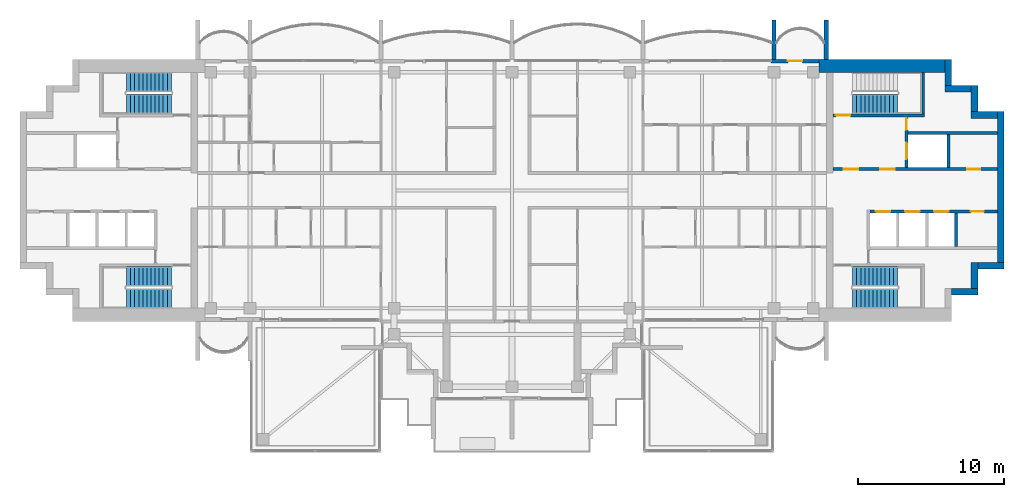
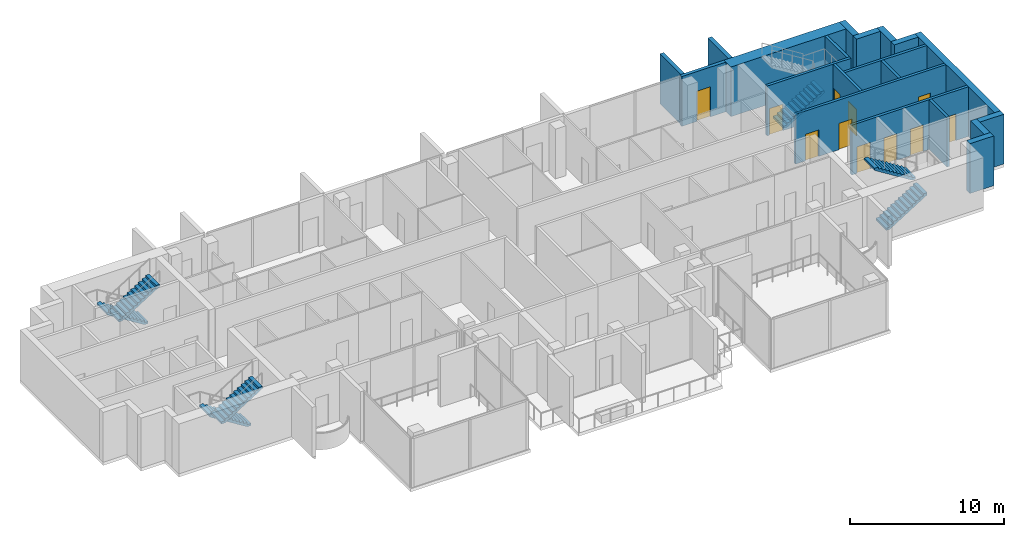
# One storey, part 11 of 16: 20 walls, 11 doors, 7 stair flights, 11 openings, 4 elements without a shape of their own.
"""IFC4 building model written with IfcOpenShell, lengths in metres."""

from ifc_helpers import new_model, si_unit, direction, frame, frame_2d, origin, place, context, subcontext, project, spatial, polyline, rectangle, outline, extrude, material, layer, layer_set, type_object, element, fill, aggregate, save


model = new_model("IFC4")

# Units and contexts
model_context = context("Model", 3, precision=1e-05, world=origin(), true_north=direction((0.0, 1.0)))
body_context = subcontext(model_context, "Body", "Model", "MODEL_VIEW")
ifc_project = project(units=[si_unit("LENGTHUNIT", "METRE"), si_unit("AREAUNIT", "SQUARE_METRE"), si_unit("VOLUMEUNIT", "CUBIC_METRE"), si_unit("PLANEANGLEUNIT", "RADIAN"), si_unit("MASSUNIT", "GRAM", prefix="KILO")], contexts=[model_context])

# Site, building, storey
site_placement = place(None, origin())
site = spatial("IfcSite", under=ifc_project, at=site_placement, CompositionType="ELEMENT")
building_placement = place(site_placement, origin())
building = spatial("IfcBuilding", under=site, at=building_placement, Name="Perihelion Cross Residences", CompositionType="ELEMENT")
storey_placement = place(building_placement, frame((0.0, 0.0, 290.39990234375)))
storey = spatial("IfcBuildingStorey", under=building, at=storey_placement, Name="L74", CompositionType="ELEMENT", Elevation=290.39990234375)

# Wall, opening, door
ifc_material_1 = material(Name="Concrete C30/37, bronze-clad", Category="concrete")
ifc_layer_1 = layer(ifc_material_1, 0.25)
ifc_layer_set_1 = layer_set([ifc_layer_1], Name="Bronze-clad pier wall 250")
wall_type_1 = type_object("IfcWallType", Name="Bronze-clad pier wall 250", PredefinedType="SOLIDWALL", material=ifc_layer_set_1)
wall_1_placement = place(storey_placement, frame((21.10009765625, 8.875, 0.0), z_axis=(0.0, 0.0, 1.0), x_axis=(-1.0, 0.0, 0.0)))
wall_1 = element("IfcWall", 1, at=wall_1_placement, inside=storey, type_object=wall_type_1, Name="Wall FW1 L74 east side north bay 1 pier", PredefinedType="SOLIDWALL", context=body_context, shape_type="SweptSolid", body=[
    extrude(rectangle(XDim=3.300048828125, YDim=0.25, at=frame_2d((1.64990234375, 0.0))), origin(), (0.0, 0.0, 1.0), 3.9501953125),
])
opening_1_placement = place(wall_1_placement, frame((1.14990234375, 0.0, 0.0)))
opening_1 = element("IfcOpeningElement", 2, at=opening_1_placement, cuts=wall_1, Name="Opening L74.E01", PredefinedType="OPENING", context=body_context, shape_type="SweptSolid", body=[
    extrude(rectangle(XDim=1.0, YDim=2.39990234375, at=frame_2d((0.5, 1.199951171875))), frame((0.0, 0.135009765625, 0.0), z_axis=(0.0, -1.0, 0.0), x_axis=(1.0, 0.0, 0.0)), (0.0, 0.0, 1.0), 0.27001953125),
])
ifc_material_2 = material(Name="Bronze anodised aluminium, glazed", Category="aluminium")
door_type_1 = type_object("IfcDoorType", Name="Balcony door 1000 x 2400", OperationType="NOTDEFINED", PredefinedType="DOOR", material=ifc_material_2)
door_1_placement = place(opening_1_placement, origin())
door_1 = element("IfcDoor", 3, at=door_1_placement, inside=storey, type_object=door_type_1, Name="Door L74.E01 east side north bay 1", OperationType="SINGLE_SWING_LEFT", OverallHeight=2.39990234375, OverallWidth=1.0, PredefinedType="DOOR", context=body_context, shape_type="SweptSolid", body=[
    extrude(rectangle(XDim=1.0, YDim=2.39990234375, at=frame_2d((0.5, 1.199951171875))), frame((0.0, 0.02490234375, 0.0), z_axis=(0.0, -1.0, 0.0), x_axis=(1.0, 0.0, 0.0)), (0.0, 0.0, 1.0), 0.050048828125),
])
fill(opening_1, door_1)

# Walls
ifc_material_3 = material(Name="Concrete C60/75", Category="concrete")
ifc_layer_2 = layer(ifc_material_3, 0.449951171875)
ifc_layer_set_2 = layer_set([ifc_layer_2], Name="Core wall, outer 450")
wall_type_2 = type_object("IfcWallType", Name="Core wall, outer 450", PredefinedType="SHEAR", material=ifc_layer_set_2)
for number, where, z_axis, x_axis, name in (
    (4, (30.199951171875, -6.97509765625, 0.0), (0.0, 0.0, 1.0), (1.0, 0.0, 0.0), "East core core wall, outer"),
    (5, (31.77490234375, -6.75, 0.0), (0.0, 0.0, 1.0), (0.0, 1.0, 0.0), "East core core wall, outer"),
    (6, (32.0, -5.175048828125, 0.0), (0.0, 0.0, 1.0), (1.0, 0.0, 0.0), "East core core wall, outer"),
):
    element("IfcWall", number, at=place(storey_placement, frame(where, z_axis=z_axis, x_axis=x_axis)), inside=storey, type_object=wall_type_2, Name=name, PredefinedType="SHEAR", context=body_context, shape_type="SweptSolid", body=[
        extrude(rectangle(XDim=1.800048828125, YDim=0.449951171875, at=frame_2d((0.89990234375, 0.0))), origin(), (0.0, 0.0, 1.0), 3.9501953125),
    ])
wall_2_placement = place(storey_placement, frame((33.574951171875, -4.949951171875, 0.0), z_axis=(0.0, 0.0, 1.0), x_axis=(0.0, 1.0, 0.0)))
element("IfcWall", 7, at=wall_2_placement, inside=storey, type_object=wall_type_2, Name="East core core wall, outer", PredefinedType="SHEAR", context=body_context, shape_type="SweptSolid", body=[
    extrude(rectangle(XDim=10.349853515625, YDim=0.449951171875, at=frame_2d((5.1748046875, 0.0))), origin(), (0.0, 0.0, 1.0), 3.9501953125),
])
for number, where, z_axis, x_axis, name in (
    (8, (31.550048828125, 5.175048828125, 0.0), (0.0, 0.0, 1.0), (1.0, 0.0, 0.0), "East core core wall, outer"),
    (9, (31.77490234375, 5.39990234375, 0.0), (0.0, 0.0, 1.0), (0.0, 1.0, 0.0), "East core core wall, outer"),
    (10, (29.75, 6.97509765625, 0.0), (0.0, 0.0, 1.0), (1.0, 0.0, 0.0), "East core core wall, outer"),
    (11, (29.97509765625, 7.199951171875, 0.0), (0.0, 0.0, 1.0), (0.0, 1.0, 0.0), "East core core wall, outer"),
):
    element("IfcWall", number, at=place(storey_placement, frame(where, z_axis=z_axis, x_axis=x_axis)), inside=storey, type_object=wall_type_2, Name=name, PredefinedType="SHEAR", context=body_context, shape_type="SweptSolid", body=[
        extrude(rectangle(XDim=1.800048828125, YDim=0.449951171875, at=frame_2d((0.89990234375, 0.0))), origin(), (0.0, 0.0, 1.0), 3.9501953125),
    ])
ifc_material_4 = material(Name="Concrete C60/75", Category="concrete")
ifc_layer_3 = layer(ifc_material_4, 0.89990234375)
ifc_layer_set_3 = layer_set([ifc_layer_3], Name="Core wall, outer 900")
wall_type_3 = type_object("IfcWallType", Name="Core wall, outer 900", PredefinedType="SHEAR", material=ifc_layer_set_3)
wall_3_placement = place(storey_placement, frame((21.10009765625, 8.550048828125, 0.0), z_axis=(0.0, 0.0, 1.0), x_axis=(1.0, 0.0, 0.0)))
element("IfcWall", 12, at=wall_3_placement, inside=storey, type_object=wall_type_3, Name="East core core wall, outer", PredefinedType="SHEAR", context=body_context, shape_type="SweptSolid", body=[
    extrude(rectangle(XDim=8.64990234375, YDim=0.89990234375, at=frame_2d((4.324951171875, 0.0))), origin(), (0.0, 0.0, 1.0), 3.9501953125),
])
ifc_material_5 = material(Name="Precast concrete C50/60", Category="concrete")
ifc_layer_4 = layer(ifc_material_5, 0.300048828125)
ifc_layer_set_4 = layer_set([ifc_layer_4], Name="Precast concrete C50/60 blade wall 300")
wall_type_4 = type_object("IfcWallType", Name="Precast concrete C50/60 blade wall 300", PredefinedType="SOLIDWALL", material=ifc_layer_set_4)
for number, where, z_axis, x_axis, name in (
    (13, (18.0, 9.0, 0.0), (0.0, 0.0, 1.0), (0.0, 1.0, 0.0), "Wall BL1 L74 no. 11"),
    (14, (21.60009765625, 9.0, 0.0), (0.0, 0.0, 1.0), (0.0, 1.0, 0.0), "Wall BL1 L74 no. 13"),
):
    element("IfcWall", number, at=place(storey_placement, frame(where, z_axis=z_axis, x_axis=x_axis)), inside=storey, type_object=wall_type_4, Name=name, PredefinedType="SOLIDWALL", context=body_context, shape_type="SweptSolid", body=[
        extrude(rectangle(XDim=2.699951171875, YDim=0.300048828125, at=frame_2d((1.35009765625, 0.0))), origin(), (0.0, 0.0, 1.0), 3.9501953125),
    ])

# Wall, openings, doors
ifc_material_6 = material(Name="Concrete C50/60", Category="concrete")
ifc_layer_5 = layer(ifc_material_6, 0.199951171875)
ifc_layer_set_5 = layer_set([ifc_layer_5], Name="Shaft wall 200")
wall_type_5 = type_object("IfcWallType", Name="Shaft wall 200", PredefinedType="SOLIDWALL", material=ifc_layer_set_5)
wall_4_placement = place(storey_placement, frame((22.050048828125, 1.449951171875, 0.0), z_axis=(0.0, 0.0, 1.0), x_axis=(1.0, 0.0, 0.0)))
wall_4 = element("IfcWall", 15, at=wall_4_placement, inside=storey, type_object=wall_type_5, Name="East core shaft wall", PredefinedType="SOLIDWALL", context=body_context, shape_type="SweptSolid", body=[
    extrude(rectangle(XDim=11.300048828125, YDim=0.199951171875, at=frame_2d((5.64990234375, 0.0))), origin(), (0.0, 0.0, 1.0), 3.9501953125),
])
opening_2_placement = place(wall_4_placement, frame((0.75, 0.0, 0.0)))
opening_2 = element("IfcOpeningElement", 16, at=opening_2_placement, cuts=wall_4, Name="Opening L74.C07", PredefinedType="OPENING", context=body_context, shape_type="SweptSolid", body=[
    extrude(rectangle(XDim=1.0, YDim=2.10009765625, at=frame_2d((0.5, 1.050048828125))), frame((0.0, 0.10986328125, 0.0), z_axis=(0.0, -1.0, 0.0), x_axis=(1.0, 0.0, 0.0)), (0.0, 0.0, 1.0), 0.219970703125),
])
opening_3_placement = place(wall_4_placement, frame((3.25, 0.0, 0.0)))
opening_3 = element("IfcOpeningElement", 17, at=opening_3_placement, cuts=wall_4, Name="Opening L74.C09", PredefinedType="OPENING", context=body_context, shape_type="SweptSolid", body=[
    extrude(rectangle(XDim=1.0, YDim=2.10009765625, at=frame_2d((0.5, 1.050048828125))), frame((0.0, 0.10986328125, 0.0), z_axis=(0.0, -1.0, 0.0), x_axis=(1.0, 0.0, 0.0)), (0.0, 0.0, 1.0), 0.219970703125),
])
opening_4_placement = place(wall_4_placement, frame((9.22509765625, 0.0, 0.0)))
opening_4 = element("IfcOpeningElement", 18, at=opening_4_placement, cuts=wall_4, Name="Opening L74.C11", PredefinedType="OPENING", context=body_context, shape_type="SweptSolid", body=[
    extrude(rectangle(XDim=0.89990234375, YDim=2.10009765625, at=frame_2d((0.449951171875, 1.050048828125))), frame((0.0, 0.10986328125, 0.0), z_axis=(0.0, -1.0, 0.0), x_axis=(1.0, 0.0, 0.0)), (0.0, 0.0, 1.0), 0.219970703125),
])
ifc_material_7 = material(Name="Steel, powder coated", Category="steel")
door_type_2 = type_object("IfcDoorType", Name="Lobby door 1000", OperationType="SINGLE_SWING_LEFT", PredefinedType="DOOR", material=ifc_material_7)
door_2_placement = place(opening_2_placement, origin())
door_2 = element("IfcDoor", 19, at=door_2_placement, inside=storey, type_object=door_type_2, Name="East core firefighting lobby door", OperationType="SINGLE_SWING_LEFT", OverallHeight=2.10009765625, OverallWidth=1.0, PredefinedType="DOOR", context=body_context, shape_type="SweptSolid", body=[
    extrude(rectangle(XDim=1.0, YDim=2.10009765625, at=frame_2d((0.5, 1.050048828125))), frame((0.0, 0.02490234375, 0.0), z_axis=(0.0, -1.0, 0.0), x_axis=(1.0, 0.0, 0.0)), (0.0, 0.0, 1.0), 0.050048828125),
])
fill(opening_2, door_2)
door_3_placement = place(opening_3_placement, origin())
door_3 = element("IfcDoor", 20, at=door_3_placement, inside=storey, type_object=door_type_2, Name="East core firefighting lobby door", OperationType="SINGLE_SWING_LEFT", OverallHeight=2.10009765625, OverallWidth=1.0, PredefinedType="DOOR", context=body_context, shape_type="SweptSolid", body=[
    extrude(rectangle(XDim=1.0, YDim=2.10009765625, at=frame_2d((0.5, 1.050048828125))), frame((0.0, 0.02490234375, 0.0), z_axis=(0.0, -1.0, 0.0), x_axis=(1.0, 0.0, 0.0)), (0.0, 0.0, 1.0), 0.050048828125),
])
fill(opening_3, door_3)
ifc_material_8 = material(Name="Steel, powder coated", Category="steel")
door_type_3 = type_object("IfcDoorType", Name="Service room door 900", OperationType="SINGLE_SWING_LEFT", PredefinedType="DOOR", material=ifc_material_8)
door_4_placement = place(opening_4_placement, origin())
door_4 = element("IfcDoor", 21, at=door_4_placement, inside=storey, type_object=door_type_3, Name="East core service room door", OperationType="SINGLE_SWING_LEFT", OverallHeight=2.10009765625, OverallWidth=0.89990234375, PredefinedType="DOOR", context=body_context, shape_type="SweptSolid", body=[
    extrude(rectangle(XDim=0.89990234375, YDim=2.10009765625, at=frame_2d((0.449951171875, 1.050048828125))), frame((0.0, 0.02490234375, 0.0), z_axis=(0.0, -1.0, 0.0), x_axis=(1.0, 0.0, 0.0)), (0.0, 0.0, 1.0), 0.050048828125),
])
fill(opening_4, door_4)

wall_5_placement = place(storey_placement, frame((24.60009765625, -1.449951171875, 0.0), z_axis=(0.0, 0.0, 1.0), x_axis=(1.0, 0.0, 0.0)))
wall_5 = element("IfcWall", 22, at=wall_5_placement, inside=storey, type_object=wall_type_5, Name="East core shaft wall", PredefinedType="SOLIDWALL", context=body_context, shape_type="SweptSolid", body=[
    extrude(rectangle(XDim=8.75, YDim=0.199951171875, at=frame_2d((4.375, 0.0))), origin(), (0.0, 0.0, 1.0), 3.9501953125),
])
opening_5_placement = place(wall_5_placement, frame((0.39990234375, 0.0, 0.0)))
opening_5 = element("IfcOpeningElement", 23, at=opening_5_placement, cuts=wall_5, Name="Opening L74.C01", PredefinedType="OPENING", context=body_context, shape_type="SweptSolid", body=[
    extrude(rectangle(XDim=1.0, YDim=2.10009765625, at=frame_2d((0.5, 1.050048828125))), frame((0.0, 0.10986328125, 0.0), z_axis=(0.0, -1.0, 0.0), x_axis=(1.0, 0.0, 0.0)), (0.0, 0.0, 1.0), 0.219970703125),
])
opening_6_placement = place(wall_5_placement, frame((2.39990234375, 0.0, 0.0)))
opening_6 = element("IfcOpeningElement", 24, at=opening_6_placement, cuts=wall_5, Name="Opening L74.C03", PredefinedType="OPENING", context=body_context, shape_type="SweptSolid", body=[
    extrude(rectangle(XDim=1.0, YDim=2.10009765625, at=frame_2d((0.5, 1.050048828125))), frame((0.0, 0.10986328125, 0.0), z_axis=(0.0, -1.0, 0.0), x_axis=(1.0, 0.0, 0.0)), (0.0, 0.0, 1.0), 0.219970703125),
])
opening_7_placement = place(wall_5_placement, frame((4.39990234375, 0.0, 0.0)))
opening_7 = element("IfcOpeningElement", 25, at=opening_7_placement, cuts=wall_5, Name="Opening L74.C04", PredefinedType="OPENING", context=body_context, shape_type="SweptSolid", body=[
    extrude(rectangle(XDim=1.0, YDim=2.10009765625, at=frame_2d((0.5, 1.050048828125))), frame((0.0, 0.10986328125, 0.0), z_axis=(0.0, -1.0, 0.0), x_axis=(1.0, 0.0, 0.0)), (0.0, 0.0, 1.0), 0.219970703125),
])
opening_8_placement = place(wall_5_placement, frame((6.925048828125, 0.0, 0.0)))
opening_8 = element("IfcOpeningElement", 26, at=opening_8_placement, cuts=wall_5, Name="Opening L74.C12", PredefinedType="OPENING", context=body_context, shape_type="SweptSolid", body=[
    extrude(rectangle(XDim=0.89990234375, YDim=2.10009765625, at=frame_2d((0.449951171875, 1.050048828125))), frame((0.0, 0.10986328125, 0.0), z_axis=(0.0, -1.0, 0.0), x_axis=(1.0, 0.0, 0.0)), (0.0, 0.0, 1.0), 0.219970703125),
])
ifc_material_9 = material(Name="Stainless steel", Category="steel")
door_type_4 = type_object("IfcDoorType", Name="Landing door 1000", OperationType="DOUBLE_DOOR_SLIDING", PredefinedType="DOOR", material=ifc_material_9)
door_5_placement = place(opening_5_placement, origin())
door_5 = element("IfcDoor", 27, at=door_5_placement, inside=storey, type_object=door_type_4, Name="Landing door, East core high-rise lift 1", OperationType="DOUBLE_DOOR_SLIDING", OverallHeight=2.10009765625, OverallWidth=1.0, PredefinedType="DOOR", context=body_context, shape_type="SweptSolid", body=[
    extrude(rectangle(XDim=1.0, YDim=2.10009765625, at=frame_2d((0.5, 1.050048828125))), frame((0.0, 0.02490234375, 0.0), z_axis=(0.0, -1.0, 0.0), x_axis=(1.0, 0.0, 0.0)), (0.0, 0.0, 1.0), 0.050048828125),
])
fill(opening_5, door_5)
door_6_placement = place(opening_6_placement, origin())
door_6 = element("IfcDoor", 28, at=door_6_placement, inside=storey, type_object=door_type_4, Name="Landing door, East core high-rise lift 2", OperationType="DOUBLE_DOOR_SLIDING", OverallHeight=2.10009765625, OverallWidth=1.0, PredefinedType="DOOR", context=body_context, shape_type="SweptSolid", body=[
    extrude(rectangle(XDim=1.0, YDim=2.10009765625, at=frame_2d((0.5, 1.050048828125))), frame((0.0, 0.02490234375, 0.0), z_axis=(0.0, -1.0, 0.0), x_axis=(1.0, 0.0, 0.0)), (0.0, 0.0, 1.0), 0.050048828125),
])
fill(opening_6, door_6)
door_7_placement = place(opening_7_placement, origin())
door_7 = element("IfcDoor", 29, at=door_7_placement, inside=storey, type_object=door_type_4, Name="Landing door, East core high-rise lift 3", OperationType="DOUBLE_DOOR_SLIDING", OverallHeight=2.10009765625, OverallWidth=1.0, PredefinedType="DOOR", context=body_context, shape_type="SweptSolid", body=[
    extrude(rectangle(XDim=1.0, YDim=2.10009765625, at=frame_2d((0.5, 1.050048828125))), frame((0.0, 0.02490234375, 0.0), z_axis=(0.0, -1.0, 0.0), x_axis=(1.0, 0.0, 0.0)), (0.0, 0.0, 1.0), 0.050048828125),
])
fill(opening_7, door_7)
door_8_placement = place(opening_8_placement, origin())
door_8 = element("IfcDoor", 30, at=door_8_placement, inside=storey, type_object=door_type_3, Name="East core service room door", OperationType="SINGLE_SWING_LEFT", OverallHeight=2.10009765625, OverallWidth=0.89990234375, PredefinedType="DOOR", context=body_context, shape_type="SweptSolid", body=[
    extrude(rectangle(XDim=0.89990234375, YDim=2.10009765625, at=frame_2d((0.449951171875, 1.050048828125))), frame((0.0, 0.02490234375, 0.0), z_axis=(0.0, -1.0, 0.0), x_axis=(1.0, 0.0, 0.0)), (0.0, 0.0, 1.0), 0.050048828125),
])
fill(opening_8, door_8)

# Wall
wall_6_placement = place(storey_placement, frame((27.199951171875, 3.949951171875, 0.0), z_axis=(0.0, 0.0, 1.0), x_axis=(1.0, 0.0, 0.0)))
element("IfcWall", 31, at=wall_6_placement, inside=storey, type_object=wall_type_5, Name="East core shaft wall", PredefinedType="SOLIDWALL", context=body_context, shape_type="SweptSolid", body=[
    extrude(rectangle(XDim=6.150146484375, YDim=0.199951171875, at=frame_2d((3.0751953125, 0.0))), origin(), (0.0, 0.0, 1.0), 3.9501953125),
])

# Wall, openings, doors
wall_7_placement = place(storey_placement, frame((27.10009765625, 1.550048828125, 0.0), z_axis=(0.0, 0.0, 1.0), x_axis=(0.0, 1.0, 0.0)))
wall_7 = element("IfcWall", 32, at=wall_7_placement, inside=storey, type_object=wall_type_5, Name="East core shaft wall", PredefinedType="SOLIDWALL", context=body_context, shape_type="SweptSolid", body=[
    extrude(rectangle(XDim=3.5, YDim=0.199951171875, at=frame_2d((1.75, 0.0))), origin(), (0.0, 0.0, 1.0), 3.9501953125),
])
opening_9_placement = place(wall_7_placement, frame((0.60009765625, 0.0, 0.0)))
opening_9 = element("IfcOpeningElement", 33, at=opening_9_placement, cuts=wall_7, Name="Opening L74.C02", PredefinedType="OPENING", context=body_context, shape_type="SweptSolid", body=[
    extrude(rectangle(XDim=1.10009765625, YDim=2.10009765625, at=frame_2d((0.550048828125, 1.050048828125))), frame((0.0, 0.10986328125, 0.0), z_axis=(0.0, -1.0, 0.0), x_axis=(1.0, 0.0, 0.0)), (0.0, 0.0, 1.0), 0.219970703125),
])
opening_10_placement = place(wall_7_placement, frame((2.60009765625, 0.0, 0.0)))
opening_10 = element("IfcOpeningElement", 34, at=opening_10_placement, cuts=wall_7, Name="Opening L74.C10", PredefinedType="OPENING", context=body_context, shape_type="SweptSolid", body=[
    extrude(rectangle(XDim=0.800048828125, YDim=2.10009765625, at=frame_2d((0.39990234375, 1.050048828125))), frame((0.0, 0.10986328125, 0.0), z_axis=(0.0, -1.0, 0.0), x_axis=(1.0, 0.0, 0.0)), (0.0, 0.0, 1.0), 0.219970703125),
])
ifc_material_10 = material(Name="Stainless steel", Category="steel")
door_type_5 = type_object("IfcDoorType", Name="Landing door, firefighting lift 1100", OperationType="DOUBLE_DOOR_SLIDING", PredefinedType="DOOR", material=ifc_material_10)
door_9_placement = place(opening_9_placement, origin())
door_9 = element("IfcDoor", 35, at=door_9_placement, inside=storey, type_object=door_type_5, Name="Landing door, East core firefighting and service lift", OperationType="DOUBLE_DOOR_SLIDING", OverallHeight=2.10009765625, OverallWidth=1.10009765625, PredefinedType="DOOR", context=body_context, shape_type="SweptSolid", body=[
    extrude(rectangle(XDim=1.10009765625, YDim=2.10009765625, at=frame_2d((0.550048828125, 1.050048828125))), frame((0.0, 0.02490234375, 0.0), z_axis=(0.0, -1.0, 0.0), x_axis=(1.0, 0.0, 0.0)), (0.0, 0.0, 1.0), 0.050048828125),
])
fill(opening_9, door_9)
ifc_material_11 = material(Name="Steel, powder coated", Category="steel")
door_type_6 = type_object("IfcDoorType", Name="Riser door 800", OperationType="SINGLE_SWING_LEFT", PredefinedType="DOOR", material=ifc_material_11)
door_10_placement = place(opening_10_placement, origin())
door_10 = element("IfcDoor", 36, at=door_10_placement, inside=storey, type_object=door_type_6, Name="East core riser door", OperationType="SINGLE_SWING_LEFT", OverallHeight=2.10009765625, OverallWidth=0.800048828125, PredefinedType="DOOR", context=body_context, shape_type="SweptSolid", body=[
    extrude(rectangle(XDim=0.800048828125, YDim=2.10009765625, at=frame_2d((0.39990234375, 1.050048828125))), frame((0.0, 0.02490234375, 0.0), z_axis=(0.0, -1.0, 0.0), x_axis=(1.0, 0.0, 0.0)), (0.0, 0.0, 1.0), 0.050048828125),
])
fill(opening_10, door_10)

# Walls
for number, where, z_axis, x_axis, name in (
    (37, (30.0, 1.550048828125, 0.0), (0.0, 0.0, 1.0), (0.0, 1.0, 0.0), "East core shaft wall"),
    (38, (30.5, -3.85009765625, 0.0), (0.0, 0.0, 1.0), (0.0, 1.0, 0.0), "East core shaft wall"),
):
    element("IfcWall", number, at=place(storey_placement, frame(where, z_axis=z_axis, x_axis=x_axis)), inside=storey, type_object=wall_type_5, Name=name, PredefinedType="SOLIDWALL", context=body_context, shape_type="SweptSolid", body=[
        extrude(rectangle(XDim=2.300048828125, YDim=0.199951171875, at=frame_2d((1.14990234375, 0.0))), origin(), (0.0, 0.0, 1.0), 3.9501953125),
    ])

# Wall, opening, door
ifc_material_12 = material(Name="Concrete C50/60", Category="concrete")
ifc_layer_6 = layer(ifc_material_12, 0.199951171875)
ifc_layer_set_6 = layer_set([ifc_layer_6], Name="Stair wall 200")
wall_type_6 = type_object("IfcWallType", Name="Stair wall 200", PredefinedType="SOLIDWALL", material=ifc_layer_set_6)
wall_8_placement = place(storey_placement, frame((22.050048828125, 5.14990234375, 0.0), z_axis=(0.0, 0.0, 1.0), x_axis=(1.0, 0.0, 0.0)))
wall_8 = element("IfcWall", 39, at=wall_8_placement, inside=storey, type_object=wall_type_6, Name="East core stair wall", PredefinedType="SOLIDWALL", context=body_context, shape_type="SweptSolid", body=[
    extrude(rectangle(XDim=6.300048828125, YDim=0.199951171875, at=frame_2d((3.14990234375, 0.0))), origin(), (0.0, 0.0, 1.0), 3.9501953125),
])
opening_11_placement = place(wall_8_placement, frame((0.199951171875, 0.0, 0.0)))
opening_11 = element("IfcOpeningElement", 40, at=opening_11_placement, cuts=wall_8, Name="Opening L74.C06", PredefinedType="OPENING", context=body_context, shape_type="SweptSolid", body=[
    extrude(rectangle(XDim=1.0, YDim=2.10009765625, at=frame_2d((0.5, 1.050048828125))), frame((0.0, 0.10986328125, 0.0), z_axis=(0.0, -1.0, 0.0), x_axis=(1.0, 0.0, 0.0)), (0.0, 0.0, 1.0), 0.219970703125),
])
ifc_material_13 = material(Name="Steel, powder coated", Category="steel")
door_type_7 = type_object("IfcDoorType", Name="Stair door 1000", OperationType="SINGLE_SWING_LEFT", PredefinedType="DOOR", material=ifc_material_13)
door_11_placement = place(opening_11_placement, origin())
door_11 = element("IfcDoor", 41, at=door_11_placement, inside=storey, type_object=door_type_7, Name="East core stair door", OperationType="SINGLE_SWING_LEFT", OverallHeight=2.10009765625, OverallWidth=1.0, PredefinedType="DOOR", context=body_context, shape_type="SweptSolid", body=[
    extrude(rectangle(XDim=1.0, YDim=2.10009765625, at=frame_2d((0.5, 1.050048828125))), frame((0.0, 0.02490234375, 0.0), z_axis=(0.0, -1.0, 0.0), x_axis=(1.0, 0.0, 0.0)), (0.0, 0.0, 1.0), 0.050048828125),
])
fill(opening_11, door_11)

# Wall
wall_9_placement = place(storey_placement, frame((28.25, 5.25, 0.0), z_axis=(0.0, 0.0, 1.0), x_axis=(0.0, 1.0, 0.0)))
element("IfcWall", 42, at=wall_9_placement, inside=storey, type_object=wall_type_6, Name="East core stair wall", PredefinedType="SOLIDWALL", context=body_context, shape_type="SweptSolid", body=[
    extrude(rectangle(XDim=2.85009765625, YDim=0.199951171875, at=frame_2d((1.425048828125, 0.0))), origin(), (0.0, 0.0, 1.0), 3.9501953125),
])

# Stair, stair flight
ifc_material_14 = material(Name="Concrete C40/50", Category="concrete")
stair_type = type_object("IfcStairType", Name="Exit stair, half-turn", PredefinedType="HALF_TURN_STAIR", material=ifc_material_14)
stair_1_placement = place(storey_placement, origin())
stair_1 = element("IfcStair", 43, at=stair_1_placement, inside=storey, type_object=stair_type, Name="L74 East core exit stair 1", PredefinedType="HALF_TURN_STAIR")
ifc_material_15 = material(Name="Concrete C40/50", Category="concrete")
stair_flight_type = type_object("IfcStairFlightType", Name="Exit stair flight", PredefinedType="STRAIGHT", material=ifc_material_15)
stair_flight_1_placement = place(storey_placement, frame((23.39990234375, 5.925048828125, 0.0), z_axis=(0.0, 0.0, 1.0), x_axis=(1.0, 0.0, 0.0)))
stair_flight_1 = element("IfcStairFlight", 44, at=stair_flight_1_placement, type_object=stair_flight_type, Name="ST-E1 flight 1", NumberOfRisers=12, NumberOfTreads=11, PredefinedType="STRAIGHT", RiserHeight=0.175, TreadLength=0.28, context=body_context, shape_type="SweptSolid", body=[
    extrude(outline(polyline([(0.0, 0.0), (0.0, 0.175048828125), (0.280029296875, 0.175048828125), (0.280029296875, 0.35009765625), (0.56005859375, 0.35009765625), (0.56005859375, 0.52490234375), (0.840087890625, 0.52490234375), (0.840087890625, 0.699951171875), (1.1201171875, 0.699951171875), (1.1201171875, 0.875), (1.39990234375, 0.875), (1.39990234375, 1.050048828125), (1.679931640625, 1.050048828125), (1.679931640625, 1.22509765625), (1.9599609375, 1.22509765625), (1.9599609375, 1.39990234375), (2.239990234375, 1.39990234375), (2.239990234375, 1.574951171875), (2.52001953125, 1.574951171875), (2.52001953125, 1.75), (2.800048828125, 1.75), (2.800048828125, 1.925048828125), (3.080078125, 1.925048828125), (3.080078125, 2.10009765625), (3.080078125, 1.748291015625), (0.28271484375, 0.0), (0.0, 0.0)])), frame((0.0, 0.675048828125, 0.0), z_axis=(0.0, -1.0, 0.0), x_axis=(1.0, 0.0, 0.0)), (0.0, 0.0, 1.0), 1.35009765625),
])
aggregate(stair_1, [stair_flight_1])

# Stair, stair flights
stair_2_placement = place(storey_placement, origin())
stair_2 = element("IfcStair", 45, at=stair_2_placement, inside=storey, type_object=stair_type, Name="L74 East core exit stair 2", PredefinedType="HALF_TURN_STAIR")
stair_flight_2_placement = place(storey_placement, frame((23.39990234375, -7.425048828125, 0.0), z_axis=(0.0, 0.0, 1.0), x_axis=(1.0, 0.0, 0.0)))
stair_flight_2 = element("IfcStairFlight", 46, at=stair_flight_2_placement, type_object=stair_flight_type, Name="ST-E2 flight 1", NumberOfRisers=12, NumberOfTreads=11, PredefinedType="STRAIGHT", RiserHeight=0.175, TreadLength=0.28, context=body_context, shape_type="SweptSolid", body=[
    extrude(outline(polyline([(0.0, 0.0), (0.0, 0.175048828125), (0.280029296875, 0.175048828125), (0.280029296875, 0.35009765625), (0.56005859375, 0.35009765625), (0.56005859375, 0.52490234375), (0.840087890625, 0.52490234375), (0.840087890625, 0.699951171875), (1.1201171875, 0.699951171875), (1.1201171875, 0.875), (1.39990234375, 0.875), (1.39990234375, 1.050048828125), (1.679931640625, 1.050048828125), (1.679931640625, 1.22509765625), (1.9599609375, 1.22509765625), (1.9599609375, 1.39990234375), (2.239990234375, 1.39990234375), (2.239990234375, 1.574951171875), (2.52001953125, 1.574951171875), (2.52001953125, 1.75), (2.800048828125, 1.75), (2.800048828125, 1.925048828125), (3.080078125, 1.925048828125), (3.080078125, 2.10009765625), (3.080078125, 1.748291015625), (0.28271484375, 0.0), (0.0, 0.0)])), frame((0.0, 0.675048828125, 0.0), z_axis=(0.0, -1.0, 0.0), x_axis=(1.0, 0.0, 0.0)), (0.0, 0.0, 1.0), 1.35009765625),
])
stair_flight_3_placement = place(storey_placement, frame((26.47998046875, -5.925048828125, 2.10009765625), z_axis=(0.0, 0.0, 1.0), x_axis=(-1.0, 0.0, 0.0)))
stair_flight_3 = element("IfcStairFlight", 47, at=stair_flight_3_placement, type_object=stair_flight_type, Name="ST-E2 flight 2", NumberOfRisers=12, NumberOfTreads=11, PredefinedType="STRAIGHT", RiserHeight=0.175, TreadLength=0.28, context=body_context, shape_type="SweptSolid", body=[
    extrude(outline(polyline([(0.0, 0.0), (0.0, 0.175048828125), (0.280029296875, 0.175048828125), (0.280029296875, 0.35009765625), (0.56005859375, 0.35009765625), (0.56005859375, 0.52490234375), (0.840087890625, 0.52490234375), (0.840087890625, 0.699951171875), (1.1201171875, 0.699951171875), (1.1201171875, 0.875), (1.39990234375, 0.875), (1.39990234375, 1.050048828125), (1.679931640625, 1.050048828125), (1.679931640625, 1.22509765625), (1.9599609375, 1.22509765625), (1.9599609375, 1.39990234375), (2.239990234375, 1.39990234375), (2.239990234375, 1.574951171875), (2.52001953125, 1.574951171875), (2.52001953125, 1.75), (2.800048828125, 1.75), (2.800048828125, 1.925048828125), (3.080078125, 1.925048828125), (3.080078125, 2.10009765625), (3.080078125, 1.748291015625), (0.28271484375, 0.0), (0.0, 0.0)])), frame((0.0, 0.675048828125, 0.0), z_axis=(0.0, -1.0, 0.0), x_axis=(1.0, 0.0, 0.0)), (0.0, 0.0, 1.0), 1.35009765625),
])
aggregate(stair_2, [stair_flight_2, stair_flight_3])

stair_3_placement = place(storey_placement, origin())
stair_3 = element("IfcStair", 48, at=stair_3_placement, inside=storey, type_object=stair_type, Name="L74 West core exit stair 1", PredefinedType="HALF_TURN_STAIR")
stair_flight_4_placement = place(storey_placement, frame((-23.39990234375, 7.425048828125, 0.0), z_axis=(0.0, 0.0, 1.0), x_axis=(-1.0, 0.0, 0.0)))
stair_flight_4 = element("IfcStairFlight", 49, at=stair_flight_4_placement, type_object=stair_flight_type, Name="ST-W1 flight 1", NumberOfRisers=12, NumberOfTreads=11, PredefinedType="STRAIGHT", RiserHeight=0.175, TreadLength=0.28, context=body_context, shape_type="SweptSolid", body=[
    extrude(outline(polyline([(0.0, 0.0), (0.0, 0.175048828125), (0.280029296875, 0.175048828125), (0.280029296875, 0.35009765625), (0.56005859375, 0.35009765625), (0.56005859375, 0.52490234375), (0.840087890625, 0.52490234375), (0.840087890625, 0.699951171875), (1.1201171875, 0.699951171875), (1.1201171875, 0.875), (1.39990234375, 0.875), (1.39990234375, 1.050048828125), (1.679931640625, 1.050048828125), (1.679931640625, 1.22509765625), (1.9599609375, 1.22509765625), (1.9599609375, 1.39990234375), (2.239990234375, 1.39990234375), (2.239990234375, 1.574951171875), (2.52001953125, 1.574951171875), (2.52001953125, 1.75), (2.800048828125, 1.75), (2.800048828125, 1.925048828125), (3.080078125, 1.925048828125), (3.080078125, 2.10009765625), (3.080078125, 1.748291015625), (0.28271484375, 0.0), (0.0, 0.0)])), frame((0.0, 0.675048828125, 0.0), z_axis=(0.0, -1.0, 0.0), x_axis=(1.0, 0.0, 0.0)), (0.0, 0.0, 1.0), 1.35009765625),
])
stair_flight_5_placement = place(storey_placement, frame((-26.47998046875, 5.925048828125, 2.10009765625), z_axis=(0.0, 0.0, 1.0), x_axis=(1.0, 0.0, 0.0)))
stair_flight_5 = element("IfcStairFlight", 50, at=stair_flight_5_placement, type_object=stair_flight_type, Name="ST-W1 flight 2", NumberOfRisers=12, NumberOfTreads=11, PredefinedType="STRAIGHT", RiserHeight=0.175, TreadLength=0.28, context=body_context, shape_type="SweptSolid", body=[
    extrude(outline(polyline([(0.0, 0.0), (0.0, 0.175048828125), (0.280029296875, 0.175048828125), (0.280029296875, 0.35009765625), (0.56005859375, 0.35009765625), (0.56005859375, 0.52490234375), (0.840087890625, 0.52490234375), (0.840087890625, 0.699951171875), (1.1201171875, 0.699951171875), (1.1201171875, 0.875), (1.39990234375, 0.875), (1.39990234375, 1.050048828125), (1.679931640625, 1.050048828125), (1.679931640625, 1.22509765625), (1.9599609375, 1.22509765625), (1.9599609375, 1.39990234375), (2.239990234375, 1.39990234375), (2.239990234375, 1.574951171875), (2.52001953125, 1.574951171875), (2.52001953125, 1.75), (2.800048828125, 1.75), (2.800048828125, 1.925048828125), (3.080078125, 1.925048828125), (3.080078125, 2.10009765625), (3.080078125, 1.748291015625), (0.28271484375, 0.0), (0.0, 0.0)])), frame((0.0, 0.675048828125, 0.0), z_axis=(0.0, -1.0, 0.0), x_axis=(1.0, 0.0, 0.0)), (0.0, 0.0, 1.0), 1.35009765625),
])
aggregate(stair_3, [stair_flight_4, stair_flight_5])

stair_4_placement = place(storey_placement, origin())
stair_4 = element("IfcStair", 51, at=stair_4_placement, inside=storey, type_object=stair_type, Name="L74 West core exit stair 2", PredefinedType="HALF_TURN_STAIR")
stair_flight_6_placement = place(storey_placement, frame((-23.39990234375, -5.925048828125, 0.0), z_axis=(0.0, 0.0, 1.0), x_axis=(-1.0, 0.0, 0.0)))
stair_flight_6 = element("IfcStairFlight", 52, at=stair_flight_6_placement, type_object=stair_flight_type, Name="ST-W2 flight 1", NumberOfRisers=12, NumberOfTreads=11, PredefinedType="STRAIGHT", RiserHeight=0.175, TreadLength=0.28, context=body_context, shape_type="SweptSolid", body=[
    extrude(outline(polyline([(0.0, 0.0), (0.0, 0.175048828125), (0.280029296875, 0.175048828125), (0.280029296875, 0.35009765625), (0.56005859375, 0.35009765625), (0.56005859375, 0.52490234375), (0.840087890625, 0.52490234375), (0.840087890625, 0.699951171875), (1.1201171875, 0.699951171875), (1.1201171875, 0.875), (1.39990234375, 0.875), (1.39990234375, 1.050048828125), (1.679931640625, 1.050048828125), (1.679931640625, 1.22509765625), (1.9599609375, 1.22509765625), (1.9599609375, 1.39990234375), (2.239990234375, 1.39990234375), (2.239990234375, 1.574951171875), (2.52001953125, 1.574951171875), (2.52001953125, 1.75), (2.800048828125, 1.75), (2.800048828125, 1.925048828125), (3.080078125, 1.925048828125), (3.080078125, 2.10009765625), (3.080078125, 1.748291015625), (0.28271484375, 0.0), (0.0, 0.0)])), frame((0.0, 0.675048828125, 0.0), z_axis=(0.0, -1.0, 0.0), x_axis=(1.0, 0.0, 0.0)), (0.0, 0.0, 1.0), 1.35009765625),
])
stair_flight_7_placement = place(storey_placement, frame((-26.47998046875, -7.425048828125, 2.10009765625), z_axis=(0.0, 0.0, 1.0), x_axis=(1.0, 0.0, 0.0)))
stair_flight_7 = element("IfcStairFlight", 53, at=stair_flight_7_placement, type_object=stair_flight_type, Name="ST-W2 flight 2", NumberOfRisers=12, NumberOfTreads=11, PredefinedType="STRAIGHT", RiserHeight=0.175, TreadLength=0.28, context=body_context, shape_type="SweptSolid", body=[
    extrude(outline(polyline([(0.0, 0.0), (0.0, 0.175048828125), (0.280029296875, 0.175048828125), (0.280029296875, 0.35009765625), (0.56005859375, 0.35009765625), (0.56005859375, 0.52490234375), (0.840087890625, 0.52490234375), (0.840087890625, 0.699951171875), (1.1201171875, 0.699951171875), (1.1201171875, 0.875), (1.39990234375, 0.875), (1.39990234375, 1.050048828125), (1.679931640625, 1.050048828125), (1.679931640625, 1.22509765625), (1.9599609375, 1.22509765625), (1.9599609375, 1.39990234375), (2.239990234375, 1.39990234375), (2.239990234375, 1.574951171875), (2.52001953125, 1.574951171875), (2.52001953125, 1.75), (2.800048828125, 1.75), (2.800048828125, 1.925048828125), (3.080078125, 1.925048828125), (3.080078125, 2.10009765625), (3.080078125, 1.748291015625), (0.28271484375, 0.0), (0.0, 0.0)])), frame((0.0, 0.675048828125, 0.0), z_axis=(0.0, -1.0, 0.0), x_axis=(1.0, 0.0, 0.0)), (0.0, 0.0, 1.0), 1.35009765625),
])
aggregate(stair_4, [stair_flight_6, stair_flight_7])

save(model, "model.ifc")
